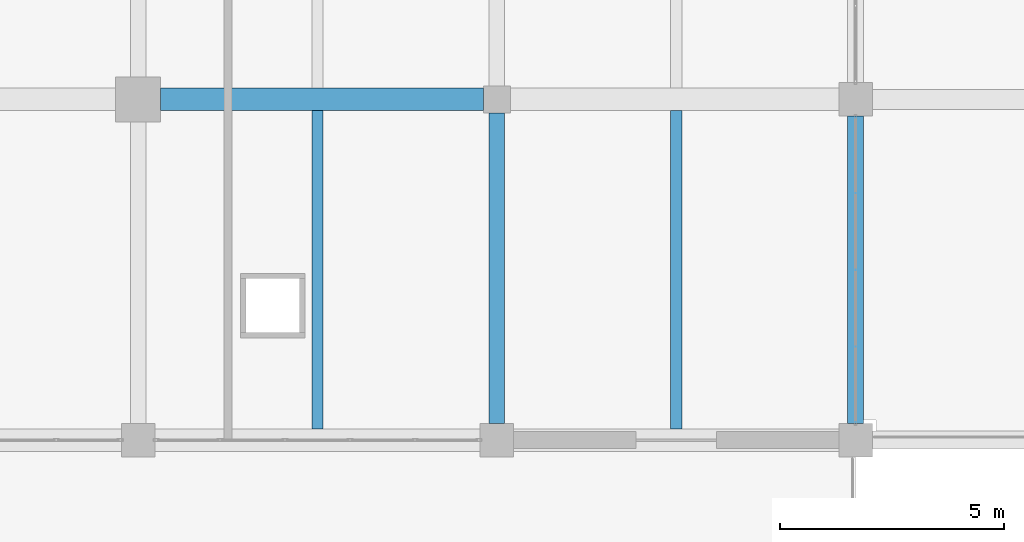
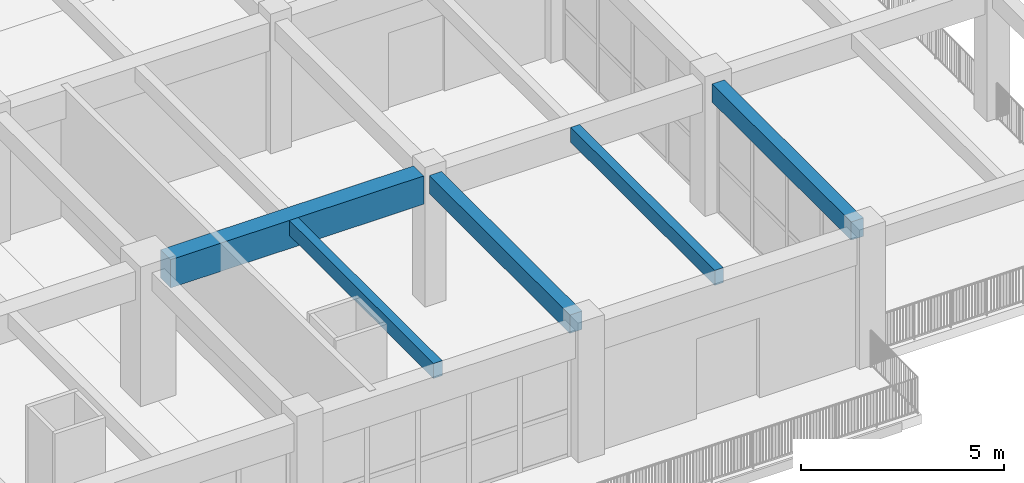
# One storey, part 18 of 63: 5 beams.
"""IFC4 building model written with IfcOpenShell, lengths in metres."""

from ifc_helpers import new_model, si_unit, direction, frame, origin, origin_2d, place, context, subcontext, project, spatial, rectangle, extrude, material, material_profile, profile_set, type_object, element, save


model = new_model("IFC4")

# Units and contexts
model_context = context("Model", 3, precision=1e-05, world=origin(), true_north=direction((0.0, 1.0)))
body_context = subcontext(model_context, "Body", "Model", "MODEL_VIEW")
ifc_project = project(units=[si_unit("LENGTHUNIT", "METRE"), si_unit("AREAUNIT", "SQUARE_METRE"), si_unit("VOLUMEUNIT", "CUBIC_METRE"), si_unit("PLANEANGLEUNIT", "RADIAN"), si_unit("MASSUNIT", "GRAM", prefix="KILO")], contexts=[model_context])

# Site, building, storey
site_placement = place(None, origin())
site = spatial("IfcSite", under=ifc_project, at=site_placement, CompositionType="ELEMENT")
building_placement = place(site_placement, origin())
building = spatial("IfcBuilding", under=site, at=building_placement, Name="Zantavel Square City Hall", CompositionType="ELEMENT")
storey_placement = place(building_placement, frame((0.0, 0.0, 14.699951171875)))
storey = spatial("IfcBuildingStorey", under=building, at=storey_placement, Name="L04", CompositionType="ELEMENT", Elevation=14.699951171875)

# Beams
ifc_material_1 = material(Name="Concrete C40/50", Category="concrete")
ifc_material_profile_1 = material_profile(ifc_material_1, rectangle(XDim=0.5, YDim=0.85009765625, at=origin_2d()), Name="RC 500x850")
ifc_profile_set_1 = profile_set([ifc_material_profile_1], Name="Concrete C40/50")
beam_type_1 = type_object("IfcBeamType", Name="Council Chamber Girder RC 500x850 C40/50", PredefinedType="BEAM", material=ifc_profile_set_1)
beam_1_placement = place(storey_placement, frame((88.5, 38.0, 3.4951171875), z_axis=(1.0, 0.0, 0.0), x_axis=(0.0, 1.0, 0.0)))
element("IfcBeam", 1, at=beam_1_placement, inside=storey, type_object=beam_type_1, Name="L04 Girder BMX-L04-0880-0380", PredefinedType="BEAM", context=body_context, shape_type="SweptSolid", body=[
    extrude(rectangle(XDim=0.5, YDim=0.85009765625, at=origin_2d()), origin(), (0.0, 0.0, 1.0), 7.199951171875),
])
ifc_material_2 = material(Name="Concrete C35/45", Category="concrete")
ifc_material_profile_2 = material_profile(ifc_material_2, rectangle(XDim=0.25, YDim=0.449951171875, at=origin_2d()), Name="RC 250x450")
ifc_profile_set_2 = profile_set([ifc_material_profile_2], Name="Concrete C35/45")
beam_type_2 = type_object("IfcBeamType", Name="Light Floor Joist RC 250x450 C35/45", PredefinedType="JOIST", material=ifc_profile_set_2)
for number, where, z_axis, x_axis, name in (
    (2, (92.0, 30.64990234375, 3.695068359375), (0.0, 1.0, 0.0), (-1.0, 0.0, 0.0), "L04 Floor Joist JST-L04-0920-0304"),
    (3, (100.0, 30.64990234375, 3.695068359375), (0.0, 1.0, 0.0), (-1.0, 0.0, 0.0), "L04 Floor Joist JST-L04-1000-0304"),
):
    element("IfcBeam", number, at=place(storey_placement, frame(where, z_axis=z_axis, x_axis=x_axis)), inside=storey, type_object=beam_type_2, Name=name, PredefinedType="JOIST", context=body_context, shape_type="SweptSolid", body=[
        extrude(rectangle(XDim=0.25, YDim=0.449951171875, at=origin_2d()), origin(), (0.0, 0.0, 1.0), 7.10009765625),
    ])
ifc_material_profile_3 = material_profile(ifc_material_2, rectangle(XDim=0.35009765625, YDim=0.550048828125, at=origin_2d()), Name="RC 350x550")
ifc_profile_set_3 = profile_set([ifc_material_profile_3], Name="Concrete C35/45")
beam_type_3 = type_object("IfcBeamType", Name="Secondary Beam RC 350x550 C35/45", PredefinedType="BEAM", material=ifc_profile_set_3)
beam_2_placement = place(storey_placement, frame((96.0, 30.77490234375, 3.64501953125), z_axis=(0.0, 1.0, 0.0), x_axis=(-1.0, 0.0, 0.0)))
element("IfcBeam", 4, at=beam_2_placement, inside=storey, type_object=beam_type_3, Name="L04 Beam BMY-L04-0960-0304", PredefinedType="BEAM", context=body_context, shape_type="SweptSolid", body=[
    extrude(rectangle(XDim=0.35009765625, YDim=0.550048828125, at=origin_2d()), origin(), (0.0, 0.0, 1.0), 6.925048828125),
])
beam_3_placement = place(storey_placement, frame((104.0, 30.77490234375, 3.64501953125), z_axis=(0.0, 1.0, 0.0), x_axis=(-1.0, 0.0, 0.0)))
element("IfcBeam", 5, at=beam_3_placement, inside=storey, type_object=beam_type_3, Name="L04 Beam BMY-L04-1040-0304", PredefinedType="BEAM", context=body_context, shape_type="SweptSolid", body=[
    extrude(rectangle(XDim=0.35009765625, YDim=0.550048828125, at=origin_2d()), origin(), (0.0, 0.0, 1.0), 6.85009765625),
])

save(model, "model.ifc")
